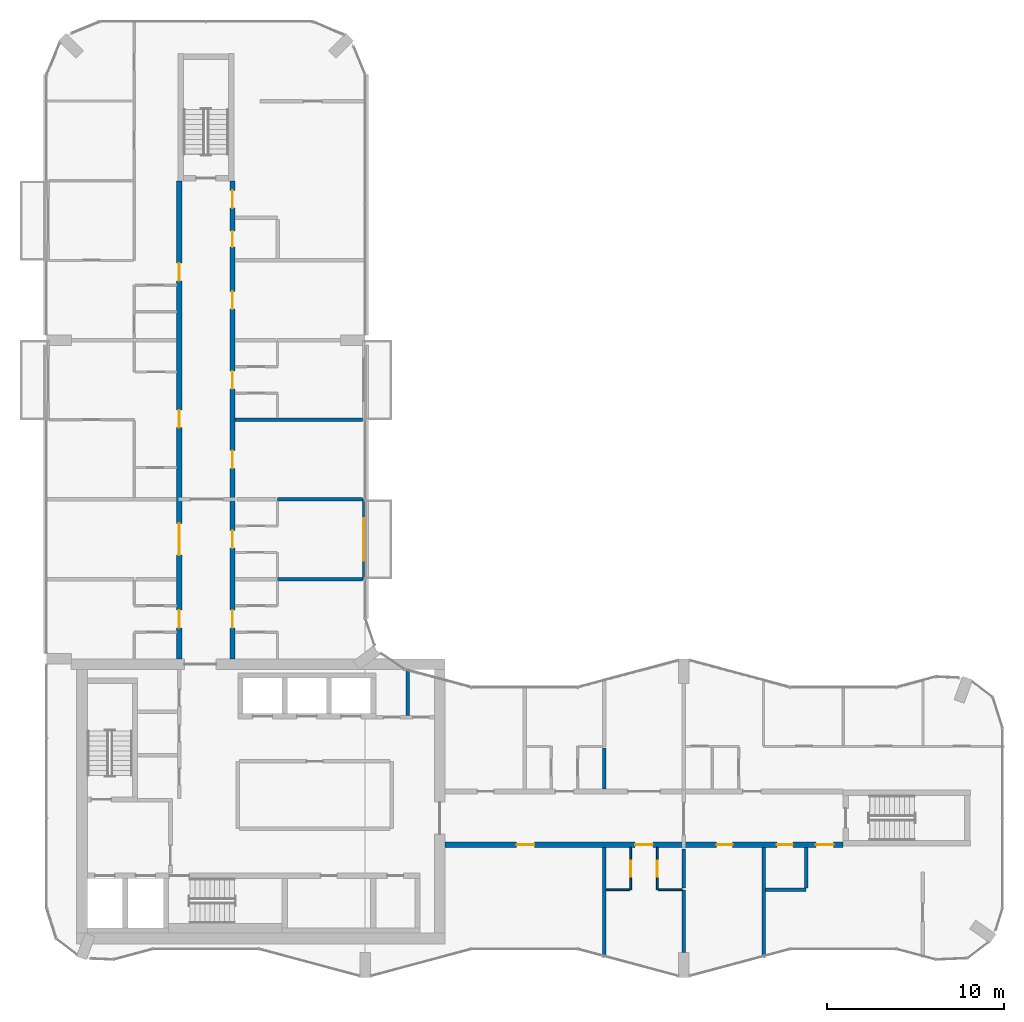
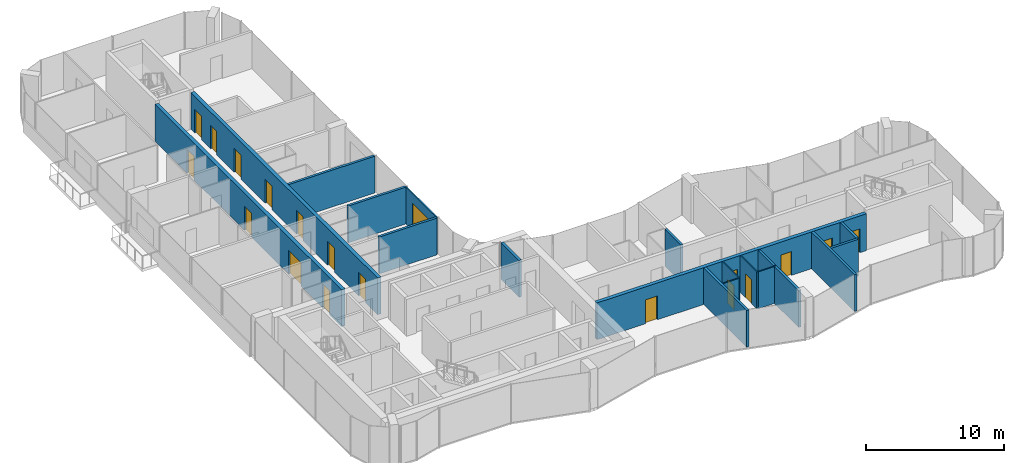
# One storey, part 11 of 15: 19 doors, 19 walls, 19 openings.
"""IFC4 building model written with IfcOpenShell, lengths in metres."""

import ifcopenshell
import ifcopenshell.guid

model = None  # the IFC model being written
_history = None  # IfcOwnerHistory: only IFC2X3 demands one
_inside = {}  # id of a spatial element -> (the spatial element, [elements in it])
_under = {}  # id of a project, library or spatial element -> (it, [spatial elements below it])
_declared = {}  # id of a project -> (the project, [libraries it declares])
_typed = {}  # id of a type object -> (the type object, [elements of that type])
_made_of = {}  # id of a material, layer set ... -> (it, [elements and type objects made of it])


def new_model(schema):
    """Start an empty IFC model of exactly this schema.

    Asked for "IFC4X3", IfcOpenShell would pick the latest addendum, in which some entities
    have other attributes; the version numbers below select the first issue.
    IFC2X3 requires an IfcOwnerHistory on every rooted entity: one is made here for all.
    """
    global model, _history
    if schema == "IFC4X3":
        model = ifcopenshell.file(schema_version=(4, 3, 0, 0))
    else:
        model = ifcopenshell.file(schema=schema)
    _inside.clear()
    _under.clear()
    _declared.clear()
    _typed.clear()
    _made_of.clear()
    _history = None
    if model.schema == "IFC2X3":
        org = make("IfcOrganization", Name="unknown")
        user = make(
            "IfcPersonAndOrganization",
            ThePerson=make("IfcPerson", FamilyName="unknown"),
            TheOrganization=org,
        )
        app = make(
            "IfcApplication",
            ApplicationDeveloper=org,
            Version="unknown",
            ApplicationFullName="unknown",
            ApplicationIdentifier="unknown",
        )
        _history = make(
            "IfcOwnerHistory",
            OwningUser=user,
            OwningApplication=app,
            ChangeAction="ADDED",
            CreationDate=0,
        )
    return model


def make(cls, **values):
    """One entity of the class cls with the attributes given. An attribute that is None is left unset."""
    return model.create_entity(
        cls, **{name: value for name, value in values.items() if value is not None}
    )


def rooted(cls, **values):
    """An entity with a GlobalId (a new one), such as an element, a storey or a relation."""
    return make(cls, GlobalId=ifcopenshell.guid.new(), OwnerHistory=_history, **values)


def si_unit(unit_type, name, prefix=None):
    """IfcSIUnit, for example si_unit("LENGTHUNIT", "METRE", prefix="MILLI")."""
    return make("IfcSIUnit", UnitType=unit_type, Prefix=prefix, Name=name)


def assignment(units):
    """IfcUnitAssignment: the units of a project."""
    return None if units is None else make("IfcUnitAssignment", Units=units)


def point(xyz):
    """IfcCartesianPoint."""
    return None if xyz is None else make("IfcCartesianPoint", Coordinates=xyz)


def direction(xyz):
    """IfcDirection."""
    return None if xyz is None else make("IfcDirection", DirectionRatios=xyz)


def frame(location, z_axis=None, x_axis=None):
    """IfcAxis2Placement3D, a coordinate frame: its origin and axes. An axis left out is left unset."""
    return make(
        "IfcAxis2Placement3D",
        Location=point(location),
        Axis=direction(z_axis),
        RefDirection=direction(x_axis),
    )


def frame_2d(location, x_axis=None):
    """IfcAxis2Placement2D, a coordinate frame in the plane: its origin and x axis."""
    return make(
        "IfcAxis2Placement2D", Location=point(location), RefDirection=direction(x_axis)
    )


def origin():
    """The frame at (0, 0, 0) with its axes left unset."""
    return frame((0.0, 0.0, 0.0))


def place(relative_to, where):
    """IfcLocalPlacement: puts the frame where relative to a parent placement (None: the world)."""
    return make(
        "IfcLocalPlacement", PlacementRelTo=relative_to, RelativePlacement=where
    )


def context(
    kind, dimensions, precision=None, world=None, true_north=None, identifier=None
):
    """IfcGeometricRepresentationContext, for example the 3D "Model" context."""
    return make(
        "IfcGeometricRepresentationContext",
        ContextIdentifier=identifier,
        ContextType=kind,
        CoordinateSpaceDimension=dimensions,
        Precision=precision,
        WorldCoordinateSystem=world,
        TrueNorth=true_north,
    )


def subcontext(parent, identifier, kind, view, scale=None):
    """IfcGeometricRepresentationSubContext, for example "Body" below "Model"."""
    return make(
        "IfcGeometricRepresentationSubContext",
        ContextIdentifier=identifier,
        ContextType=kind,
        ParentContext=parent,
        TargetScale=scale,
        TargetView=view,
    )


def project(units=None, contexts=None):
    """IfcProject with its units and contexts."""
    return rooted(
        "IfcProject",
        Name="project",
        RepresentationContexts=contexts,
        UnitsInContext=assignment(units),
    )


def spatial(cls, under=None, at=None, **own):
    """A site, building, storey or space (cls), placed at a placement, below another one or the project."""
    s = rooted(cls, ObjectPlacement=at, **own)
    if under is not None:
        _under.setdefault(under.id(), (under, []))[1].append(s)
    return s


def profile(cls, at=None, kind="AREA", **sizes):
    """A parametric profile (cls). Its sizes go by their IFC names, for example OverallWidth=200.0."""
    return make(cls, ProfileType=kind, Position=at, **sizes)


def rectangle(**sizes):
    """IfcRectangleProfileDef."""
    return profile("IfcRectangleProfileDef", **sizes)


def extrude(swept, where, along, depth):
    """IfcExtrudedAreaSolid: the profile swept, set in the frame where, extruded along a direction by depth."""
    return make(
        "IfcExtrudedAreaSolid",
        SweptArea=swept,
        Position=where,
        ExtrudedDirection=direction(along),
        Depth=depth,
    )


def shape(context_of_items, identifier, shape_type, items):
    """IfcShapeRepresentation: the items that make up one representation, for example the "Body"."""
    return make(
        "IfcShapeRepresentation",
        ContextOfItems=context_of_items,
        RepresentationIdentifier=identifier,
        RepresentationType=shape_type,
        Items=items,
    )


def material(Name=None, Category=None):
    """IfcMaterial."""
    return make("IfcMaterial", Name=Name, Category=Category)


def layer(
    of_material, thickness, ventilated=None, Name=None, Category=None, Priority=None
):
    """IfcMaterialLayer: one layer of a wall or slab, of a material (None: an air gap)."""
    return make(
        "IfcMaterialLayer",
        Material=of_material,
        LayerThickness=thickness,
        IsVentilated=ventilated,
        Name=Name,
        Category=Category,
        Priority=Priority,
    )


def layer_set(layers, Name=None):
    """IfcMaterialLayerSet."""
    return make("IfcMaterialLayerSet", MaterialLayers=layers, LayerSetName=Name)


def made_of(thing, what):
    """Note that an element or type object is made of a material, layer set ...; save() writes the relation."""
    if what is not None:
        _made_of.setdefault(what.id(), (what, []))[1].append(thing)
    return thing


def type_object(cls, material=None, **own):
    """A type object (cls), such as IfcWallType, which elements share."""
    return made_of(rooted(cls, **own), material)


def element(
    cls,
    number,
    at=None,
    inside=None,
    cuts=None,
    type_object=None,
    material=None,
    context=None,
    identifier="Body",
    shape_type=None,
    held_by="IfcProductDefinitionShape",
    body=None,
    shapes=None,
    **own,
):
    """One element of the class cls, such as IfcWall. Its Tag is "e" and its number.

    at: its placement. inside: the storey or other place that contains it. cuts: it is an
    opening in that element (IfcRelVoidsElement). A single representation is given by context,
    identifier, shape_type and body (its items); several are given by shapes. held_by: the class
    of the entity that holds the representations. save() writes the other relations.
    """
    e = rooted(cls, Tag="e%d" % number, ObjectPlacement=at, **own)
    if body is not None:
        shapes = [shape(context, identifier, shape_type, body)]
    if shapes is not None:
        e.Representation = make(held_by, Representations=shapes)
    if inside is not None:
        _inside.setdefault(inside.id(), (inside, []))[1].append(e)
    if cuts is not None:
        rooted(
            "IfcRelVoidsElement", RelatingBuildingElement=cuts, RelatedOpeningElement=e
        )
    if type_object is not None:
        _typed.setdefault(type_object.id(), (type_object, []))[1].append(e)
    return made_of(e, material)


def fill(opening, filler):
    """IfcRelFillsElement: the door or window that sits in an opening."""
    return rooted(
        "IfcRelFillsElement",
        RelatingOpeningElement=opening,
        RelatedBuildingElement=filler,
    )


def aggregate(whole, parts):
    """IfcRelAggregates: a whole, such as a stair, and the parts it consists of."""
    return rooted("IfcRelAggregates", RelatingObject=whole, RelatedObjects=parts)


def save(model, path):
    """Write the relations noted so far, then the file.

    IfcRelAggregates (storeys below a building ...), IfcRelContainedInSpatialStructure (elements
    in a storey), IfcRelDefinesByType, IfcRelAssociatesMaterial and IfcRelDeclares: one each for
    every whole, place, type object, material and project.
    """
    for whole, parts in _under.values():
        aggregate(whole, parts)
    for where, things in _inside.values():
        rooted(
            "IfcRelContainedInSpatialStructure",
            RelatedElements=things,
            RelatingStructure=where,
        )
    for kind, things in _typed.values():
        rooted("IfcRelDefinesByType", RelatedObjects=things, RelatingType=kind)
    for what, things in _made_of.values():
        rooted("IfcRelAssociatesMaterial", RelatedObjects=things, RelatingMaterial=what)
    for by, libraries in _declared.values():
        rooted("IfcRelDeclares", RelatingContext=by, RelatedDefinitions=libraries)
    model.write(path)


model = new_model("IFC4")

# Units and contexts
model_context = context("Model", 3, precision=1e-05, world=origin(), true_north=direction((0.0, 1.0)))
body_context = subcontext(model_context, "Body", "Model", "MODEL_VIEW")
ifc_project = project(units=[si_unit("LENGTHUNIT", "METRE"), si_unit("AREAUNIT", "SQUARE_METRE"), si_unit("VOLUMEUNIT", "CUBIC_METRE"), si_unit("PLANEANGLEUNIT", "RADIAN"), si_unit("MASSUNIT", "GRAM", prefix="KILO")], contexts=[model_context])

# Site, building, storey
site_placement = place(None, origin())
site = spatial("IfcSite", under=ifc_project, at=site_placement, CompositionType="ELEMENT")
building_placement = place(site_placement, origin())
building = spatial("IfcBuilding", under=site, at=building_placement, Name="Plateau Cross Towers", CompositionType="ELEMENT")
storey_placement = place(building_placement, frame((0.0, 0.0, 170.89990234375)))
storey = spatial("IfcBuildingStorey", under=building, at=storey_placement, Name="L44", CompositionType="ELEMENT", Elevation=170.89990234375)

# Wall, opening, door
ifc_material_1 = material(Name="Aluminium framed glazing", Category="aluminium")
ifc_layer_1 = layer(ifc_material_1, 0.10009765625)
ifc_layer_set_1 = layer_set([ifc_layer_1], Name="Aluminium framed glazing")
wall_type_1 = type_object("IfcWallType", Name="Balcony screen wall 100", PredefinedType="STANDARD", material=ifc_layer_set_1)
wall_1_placement = place(storey_placement, frame((17.89990234375, 27.0, 0.0), z_axis=(0.0, 0.0, 1.0), x_axis=(0.0, -1.0, 0.0)))
wall_1 = element("IfcWall", 1, at=wall_1_placement, inside=storey, type_object=wall_type_1, Name="Balcony screen wall A-BAL-L44-03", PredefinedType="STANDARD", context=body_context, shape_type="SweptSolid", body=[
    extrude(rectangle(XDim=4.5, YDim=0.10009765625, at=frame_2d((2.25, 0.0))), origin(), (0.0, 0.0, 1.0), 3.25),
])
opening_1_placement = place(wall_1_placement, frame((1.050048828125, 0.0, 0.0)))
opening_1 = element("IfcOpeningElement", 2, at=opening_1_placement, cuts=wall_1, Name="Opening D-B24", PredefinedType="OPENING", context=body_context, shape_type="SweptSolid", body=[
    extrude(rectangle(XDim=2.39990234375, YDim=2.39990234375, at=frame_2d((1.199951171875, 1.199951171875))), frame((0.0, 0.06005859375, 0.0), z_axis=(0.0, -1.0, 0.0), x_axis=(1.0, 0.0, 0.0)), (0.0, 0.0, 1.0), 0.1201171875),
])
ifc_material_2 = material(Name="Aluminium frame, double glazing", Category="aluminium")
door_type_1 = type_object("IfcDoorType", Name="Balcony sliding door 2400", OperationType="NOTDEFINED", PredefinedType="DOOR", material=ifc_material_2)
door_1_placement = place(opening_1_placement, origin())
door_1 = element("IfcDoor", 3, at=door_1_placement, inside=storey, type_object=door_type_1, Name="Balcony door A-BAL-L44-03", OperationType="SINGLE_SWING_LEFT", OverallHeight=2.39990234375, OverallWidth=2.39990234375, PredefinedType="DOOR", context=body_context, shape_type="SweptSolid", body=[
    extrude(rectangle(XDim=2.39990234375, YDim=2.39990234375, at=frame_2d((1.199951171875, 1.199951171875))), frame((0.0, 0.02490234375, 0.0), z_axis=(0.0, -1.0, 0.0), x_axis=(1.0, 0.0, 0.0)), (0.0, 0.0, 1.0), 0.050048828125),
])
fill(opening_1, door_1)

# Wall
ifc_material_3 = material(Name="Concrete block, plastered both sides", Category="concrete")
ifc_layer_2 = layer(ifc_material_3, 0.199951171875)
ifc_layer_set_2 = layer_set([ifc_layer_2], Name="Concrete block, plastered both sides")
wall_type_2 = type_object("IfcWallType", Name="Core partition 200", PredefinedType="PARTITIONING", material=ifc_layer_set_2)
wall_2_placement = place(storey_placement, frame((20.39990234375, 14.800048828125, 0.0), z_axis=(0.0, 0.0, 1.0), x_axis=(0.0, 1.0, 0.0)))
element("IfcWall", 4, at=wall_2_placement, inside=storey, type_object=wall_type_2, Name="Core partition", PredefinedType="PARTITIONING", context=body_context, shape_type="SweptSolid", body=[
    extrude(rectangle(XDim=2.599853515625, YDim=0.199951171875, at=frame_2d((1.2998046875, 0.0))), origin(), (0.0, 0.0, 1.0), 3.25),
])

# Wall, openings, doors
ifc_material_4 = material(Name="Concrete C60/75", Category="concrete")
ifc_layer_3 = layer(ifc_material_4, 0.300048828125)
ifc_layer_set_3 = layer_set([ifc_layer_3], Name="Concrete C60/75")
wall_type_3 = type_object("IfcWallType", Name="Corridor wall 300", PredefinedType="SHEAR", material=ifc_layer_set_3)
wall_3_placement = place(storey_placement, frame((22.5, 7.5, 0.0), z_axis=(0.0, 0.0, 1.0), x_axis=(1.0, 0.0, 0.0)))
wall_3 = element("IfcWall", 5, at=wall_3_placement, inside=storey, type_object=wall_type_3, Name="A-cw-S1@L44", PredefinedType="SHEAR", context=body_context, shape_type="SweptSolid", body=[
    extrude(rectangle(XDim=22.5, YDim=0.300048828125, at=frame_2d((11.25, 0.0))), origin(), (0.0, 0.0, 1.0), 3.25),
])
opening_2_placement = place(wall_3_placement, frame((4.050048828125, 0.0, 0.0)))
opening_2 = element("IfcOpeningElement", 6, at=opening_2_placement, cuts=wall_3, Name="Opening 44-01", PredefinedType="OPENING", context=body_context, shape_type="SweptSolid", body=[
    extrude(rectangle(XDim=1.0, YDim=2.10009765625, at=frame_2d((0.5, 1.050048828125))), frame((0.0, 0.159912109375, 0.0), z_axis=(0.0, -1.0, 0.0), x_axis=(1.0, 0.0, 0.0)), (0.0, 0.0, 1.0), 0.320068359375),
])
opening_3_placement = place(wall_3_placement, frame((10.75, 0.0, 0.0)))
opening_3 = element("IfcOpeningElement", 7, at=opening_3_placement, cuts=wall_3, Name="Opening 44-02", PredefinedType="OPENING", context=body_context, shape_type="SweptSolid", body=[
    extrude(rectangle(XDim=1.0, YDim=2.10009765625, at=frame_2d((0.5, 1.050048828125))), frame((0.0, 0.159912109375, 0.0), z_axis=(0.0, -1.0, 0.0), x_axis=(1.0, 0.0, 0.0)), (0.0, 0.0, 1.0), 0.320068359375),
])
opening_4_placement = place(wall_3_placement, frame((15.35009765625, 0.0, 0.0)))
opening_4 = element("IfcOpeningElement", 8, at=opening_4_placement, cuts=wall_3, Name="Opening 44-03", PredefinedType="OPENING", context=body_context, shape_type="SweptSolid", body=[
    extrude(rectangle(XDim=0.89990234375, YDim=2.10009765625, at=frame_2d((0.449951171875, 1.050048828125))), frame((0.0, 0.159912109375, 0.0), z_axis=(0.0, -1.0, 0.0), x_axis=(1.0, 0.0, 0.0)), (0.0, 0.0, 1.0), 0.320068359375),
])
opening_5_placement = place(wall_3_placement, frame((18.75, 0.0, 0.0)))
opening_5 = element("IfcOpeningElement", 9, at=opening_5_placement, cuts=wall_3, Name="Opening 44-04", PredefinedType="OPENING", context=body_context, shape_type="SweptSolid", body=[
    extrude(rectangle(XDim=0.89990234375, YDim=2.10009765625, at=frame_2d((0.449951171875, 1.050048828125))), frame((0.0, 0.159912109375, 0.0), z_axis=(0.0, -1.0, 0.0), x_axis=(1.0, 0.0, 0.0)), (0.0, 0.0, 1.0), 0.320068359375),
])
opening_6_placement = place(wall_3_placement, frame((20.949951171875, 0.0, 0.0)))
opening_6 = element("IfcOpeningElement", 10, at=opening_6_placement, cuts=wall_3, Name="Opening 44-05", PredefinedType="OPENING", context=body_context, shape_type="SweptSolid", body=[
    extrude(rectangle(XDim=1.0, YDim=2.10009765625, at=frame_2d((0.5, 1.050048828125))), frame((0.0, 0.159912109375, 0.0), z_axis=(0.0, -1.0, 0.0), x_axis=(1.0, 0.0, 0.0)), (0.0, 0.0, 1.0), 0.320068359375),
])
ifc_material_5 = material(Name="Timber, fire-resisting leaf", Category="wood")
door_type_2 = type_object("IfcDoorType", Name="Flat entrance door 1000", OperationType="NOTDEFINED", PredefinedType="DOOR", material=ifc_material_5)
door_2_placement = place(opening_2_placement, origin())
door_2 = element("IfcDoor", 11, at=door_2_placement, inside=storey, type_object=door_type_2, Name="Door 44-01", OperationType="SINGLE_SWING_LEFT", OverallHeight=2.10009765625, OverallWidth=1.0, PredefinedType="DOOR", context=body_context, shape_type="SweptSolid", body=[
    extrude(rectangle(XDim=1.0, YDim=2.10009765625, at=frame_2d((0.5, 1.050048828125))), frame((0.0, 0.02490234375, 0.0), z_axis=(0.0, -1.0, 0.0), x_axis=(1.0, 0.0, 0.0)), (0.0, 0.0, 1.0), 0.050048828125),
])
fill(opening_2, door_2)
door_3_placement = place(opening_3_placement, origin())
door_3 = element("IfcDoor", 12, at=door_3_placement, inside=storey, type_object=door_type_2, Name="Door 44-02", OperationType="SINGLE_SWING_LEFT", OverallHeight=2.10009765625, OverallWidth=1.0, PredefinedType="DOOR", context=body_context, shape_type="SweptSolid", body=[
    extrude(rectangle(XDim=1.0, YDim=2.10009765625, at=frame_2d((0.5, 1.050048828125))), frame((0.0, 0.02490234375, 0.0), z_axis=(0.0, -1.0, 0.0), x_axis=(1.0, 0.0, 0.0)), (0.0, 0.0, 1.0), 0.050048828125),
])
fill(opening_3, door_3)
door_4_placement = place(opening_6_placement, origin())
door_4 = element("IfcDoor", 13, at=door_4_placement, inside=storey, type_object=door_type_2, Name="Door 44-05", OperationType="SINGLE_SWING_RIGHT", OverallHeight=2.10009765625, OverallWidth=1.0, PredefinedType="DOOR", context=body_context, shape_type="SweptSolid", body=[
    extrude(rectangle(XDim=1.0, YDim=2.10009765625, at=frame_2d((0.5, 1.050048828125))), frame((0.0, 0.02490234375, 0.0), z_axis=(0.0, -1.0, 0.0), x_axis=(1.0, 0.0, 0.0)), (0.0, 0.0, 1.0), 0.050048828125),
])
fill(opening_6, door_4)
door_type_3 = type_object("IfcDoorType", Name="Flat floor service door 900", OperationType="NOTDEFINED", PredefinedType="DOOR", material=ifc_material_5)
door_5_placement = place(opening_4_placement, origin())
door_5 = element("IfcDoor", 14, at=door_5_placement, inside=storey, type_object=door_type_3, Name="Door 44-03", OperationType="SINGLE_SWING_RIGHT", OverallHeight=2.10009765625, OverallWidth=0.89990234375, PredefinedType="DOOR", context=body_context, shape_type="SweptSolid", body=[
    extrude(rectangle(XDim=0.89990234375, YDim=2.10009765625, at=frame_2d((0.449951171875, 1.050048828125))), frame((0.0, 0.02490234375, 0.0), z_axis=(0.0, -1.0, 0.0), x_axis=(1.0, 0.0, 0.0)), (0.0, 0.0, 1.0), 0.050048828125),
])
fill(opening_4, door_5)
door_6_placement = place(opening_5_placement, origin())
door_6 = element("IfcDoor", 15, at=door_6_placement, inside=storey, type_object=door_type_3, Name="Door 44-04", OperationType="SINGLE_SWING_RIGHT", OverallHeight=2.10009765625, OverallWidth=0.89990234375, PredefinedType="DOOR", context=body_context, shape_type="SweptSolid", body=[
    extrude(rectangle(XDim=0.89990234375, YDim=2.10009765625, at=frame_2d((0.449951171875, 1.050048828125))), frame((0.0, 0.02490234375, 0.0), z_axis=(0.0, -1.0, 0.0), x_axis=(1.0, 0.0, 0.0)), (0.0, 0.0, 1.0), 0.050048828125),
])
fill(opening_5, door_6)

wall_4_placement = place(storey_placement, frame((7.5, 18.0, 0.0), z_axis=(0.0, 0.0, 1.0), x_axis=(0.0, 1.0, 0.0)))
wall_4 = element("IfcWall", 16, at=wall_4_placement, inside=storey, type_object=wall_type_3, Name="A-cw-W1@L44", PredefinedType="SHEAR", context=body_context, shape_type="SweptSolid", body=[
    extrude(rectangle(XDim=27.0, YDim=0.300048828125, at=frame_2d((13.5, 0.0))), origin(), (0.0, 0.0, 1.0), 3.25),
])
opening_7_placement = place(wall_4_placement, frame((1.75, 0.0, 0.0)))
opening_7 = element("IfcOpeningElement", 17, at=opening_7_placement, cuts=wall_4, Name="Opening 44-10", PredefinedType="OPENING", context=body_context, shape_type="SweptSolid", body=[
    extrude(rectangle(XDim=1.0, YDim=2.10009765625, at=frame_2d((0.5, 1.050048828125))), frame((0.0, 0.159912109375, 0.0), z_axis=(0.0, -1.0, 0.0), x_axis=(1.0, 0.0, 0.0)), (0.0, 0.0, 1.0), 0.320068359375),
])
opening_8_placement = place(wall_4_placement, frame((5.85009765625, 0.0, 0.0)))
opening_8 = element("IfcOpeningElement", 18, at=opening_8_placement, cuts=wall_4, Name="Opening 44-11", PredefinedType="OPENING", context=body_context, shape_type="SweptSolid", body=[
    extrude(rectangle(XDim=1.800048828125, YDim=2.10009765625, at=frame_2d((0.89990234375, 1.050048828125))), frame((0.0, 0.159912109375, 0.0), z_axis=(0.0, -1.0, 0.0), x_axis=(1.0, 0.0, 0.0)), (0.0, 0.0, 1.0), 0.320068359375),
])
opening_9_placement = place(wall_4_placement, frame((13.050048828125, 0.0, 0.0)))
opening_9 = element("IfcOpeningElement", 19, at=opening_9_placement, cuts=wall_4, Name="Opening 44-12", PredefinedType="OPENING", context=body_context, shape_type="SweptSolid", body=[
    extrude(rectangle(XDim=1.0, YDim=2.10009765625, at=frame_2d((0.5, 1.050048828125))), frame((0.0, 0.159912109375, 0.0), z_axis=(0.0, -1.0, 0.0), x_axis=(1.0, 0.0, 0.0)), (0.0, 0.0, 1.0), 0.320068359375),
])
opening_10_placement = place(wall_4_placement, frame((21.35009765625, 0.0, 0.0)))
opening_10 = element("IfcOpeningElement", 20, at=opening_10_placement, cuts=wall_4, Name="Opening 44-13", PredefinedType="OPENING", context=body_context, shape_type="SweptSolid", body=[
    extrude(rectangle(XDim=1.0, YDim=2.10009765625, at=frame_2d((0.5, 1.050048828125))), frame((0.0, 0.159912109375, 0.0), z_axis=(0.0, -1.0, 0.0), x_axis=(1.0, 0.0, 0.0)), (0.0, 0.0, 1.0), 0.320068359375),
])
door_7_placement = place(opening_7_placement, origin())
door_7 = element("IfcDoor", 21, at=door_7_placement, inside=storey, type_object=door_type_2, Name="Door 44-10", OperationType="SINGLE_SWING_LEFT", OverallHeight=2.10009765625, OverallWidth=1.0, PredefinedType="DOOR", context=body_context, shape_type="SweptSolid", body=[
    extrude(rectangle(XDim=1.0, YDim=2.10009765625, at=frame_2d((0.5, 1.050048828125))), frame((0.0, 0.02490234375, 0.0), z_axis=(0.0, -1.0, 0.0), x_axis=(1.0, 0.0, 0.0)), (0.0, 0.0, 1.0), 0.050048828125),
])
fill(opening_7, door_7)
door_8_placement = place(opening_9_placement, origin())
door_8 = element("IfcDoor", 22, at=door_8_placement, inside=storey, type_object=door_type_2, Name="Door 44-12", OperationType="SINGLE_SWING_RIGHT", OverallHeight=2.10009765625, OverallWidth=1.0, PredefinedType="DOOR", context=body_context, shape_type="SweptSolid", body=[
    extrude(rectangle(XDim=1.0, YDim=2.10009765625, at=frame_2d((0.5, 1.050048828125))), frame((0.0, 0.02490234375, 0.0), z_axis=(0.0, -1.0, 0.0), x_axis=(1.0, 0.0, 0.0)), (0.0, 0.0, 1.0), 0.050048828125),
])
fill(opening_9, door_8)
door_9_placement = place(opening_10_placement, origin())
door_9 = element("IfcDoor", 23, at=door_9_placement, inside=storey, type_object=door_type_2, Name="Door 44-13", OperationType="SINGLE_SWING_RIGHT", OverallHeight=2.10009765625, OverallWidth=1.0, PredefinedType="DOOR", context=body_context, shape_type="SweptSolid", body=[
    extrude(rectangle(XDim=1.0, YDim=2.10009765625, at=frame_2d((0.5, 1.050048828125))), frame((0.0, 0.02490234375, 0.0), z_axis=(0.0, -1.0, 0.0), x_axis=(1.0, 0.0, 0.0)), (0.0, 0.0, 1.0), 0.050048828125),
])
fill(opening_10, door_9)
ifc_material_6 = material(Name="Timber, fire-resisting leaves", Category="wood")
door_type_4 = type_object("IfcDoorType", Name="Flat floor fire door pair 1800", OperationType="NOTDEFINED", PredefinedType="DOOR", material=ifc_material_6)
door_10_placement = place(opening_8_placement, origin())
door_10 = element("IfcDoor", 24, at=door_10_placement, inside=storey, type_object=door_type_4, Name="Door 44-11", OperationType="SINGLE_SWING_LEFT", OverallHeight=2.10009765625, OverallWidth=1.800048828125, PredefinedType="DOOR", context=body_context, shape_type="SweptSolid", body=[
    extrude(rectangle(XDim=1.800048828125, YDim=2.10009765625, at=frame_2d((0.89990234375, 1.050048828125))), frame((0.0, 0.02490234375, 0.0), z_axis=(0.0, -1.0, 0.0), x_axis=(1.0, 0.0, 0.0)), (0.0, 0.0, 1.0), 0.050048828125),
])
fill(opening_8, door_10)

wall_5_placement = place(storey_placement, frame((10.5, 18.0, 0.0), z_axis=(0.0, 0.0, 1.0), x_axis=(0.0, 1.0, 0.0)))
wall_5 = element("IfcWall", 25, at=wall_5_placement, inside=storey, type_object=wall_type_3, Name="A-cw-W2@L44", PredefinedType="SHEAR", context=body_context, shape_type="SweptSolid", body=[
    extrude(rectangle(XDim=27.0, YDim=0.300048828125, at=frame_2d((13.5, 0.0))), origin(), (0.0, 0.0, 1.0), 3.25),
])
opening_11_placement = place(wall_5_placement, frame((1.75, 0.0, 0.0)))
opening_11 = element("IfcOpeningElement", 26, at=opening_11_placement, cuts=wall_5, Name="Opening 44-14", PredefinedType="OPENING", context=body_context, shape_type="SweptSolid", body=[
    extrude(rectangle(XDim=1.0, YDim=2.10009765625, at=frame_2d((0.5, 1.050048828125))), frame((0.0, 0.159912109375, 0.0), z_axis=(0.0, -1.0, 0.0), x_axis=(1.0, 0.0, 0.0)), (0.0, 0.0, 1.0), 0.320068359375),
])
opening_12_placement = place(wall_5_placement, frame((6.25, 0.0, 0.0)))
opening_12 = element("IfcOpeningElement", 27, at=opening_12_placement, cuts=wall_5, Name="Opening 44-15", PredefinedType="OPENING", context=body_context, shape_type="SweptSolid", body=[
    extrude(rectangle(XDim=1.0, YDim=2.10009765625, at=frame_2d((0.5, 1.050048828125))), frame((0.0, 0.159912109375, 0.0), z_axis=(0.0, -1.0, 0.0), x_axis=(1.0, 0.0, 0.0)), (0.0, 0.0, 1.0), 0.320068359375),
])
opening_13_placement = place(wall_5_placement, frame((10.75, 0.0, 0.0)))
opening_13 = element("IfcOpeningElement", 28, at=opening_13_placement, cuts=wall_5, Name="Opening 44-16", PredefinedType="OPENING", context=body_context, shape_type="SweptSolid", body=[
    extrude(rectangle(XDim=1.0, YDim=2.10009765625, at=frame_2d((0.5, 1.050048828125))), frame((0.0, 0.159912109375, 0.0), z_axis=(0.0, -1.0, 0.0), x_axis=(1.0, 0.0, 0.0)), (0.0, 0.0, 1.0), 0.320068359375),
])
opening_14_placement = place(wall_5_placement, frame((15.25, 0.0, 0.0)))
opening_14 = element("IfcOpeningElement", 29, at=opening_14_placement, cuts=wall_5, Name="Opening 44-17", PredefinedType="OPENING", context=body_context, shape_type="SweptSolid", body=[
    extrude(rectangle(XDim=1.0, YDim=2.10009765625, at=frame_2d((0.5, 1.050048828125))), frame((0.0, 0.159912109375, 0.0), z_axis=(0.0, -1.0, 0.0), x_axis=(1.0, 0.0, 0.0)), (0.0, 0.0, 1.0), 0.320068359375),
])
opening_15_placement = place(wall_5_placement, frame((19.75, 0.0, 0.0)))
opening_15 = element("IfcOpeningElement", 30, at=opening_15_placement, cuts=wall_5, Name="Opening 44-18", PredefinedType="OPENING", context=body_context, shape_type="SweptSolid", body=[
    extrude(rectangle(XDim=1.0, YDim=2.10009765625, at=frame_2d((0.5, 1.050048828125))), frame((0.0, 0.159912109375, 0.0), z_axis=(0.0, -1.0, 0.0), x_axis=(1.0, 0.0, 0.0)), (0.0, 0.0, 1.0), 0.320068359375),
])
opening_16_placement = place(wall_5_placement, frame((23.25, 0.0, 0.0)))
opening_16 = element("IfcOpeningElement", 31, at=opening_16_placement, cuts=wall_5, Name="Opening 44-19", PredefinedType="OPENING", context=body_context, shape_type="SweptSolid", body=[
    extrude(rectangle(XDim=0.89990234375, YDim=2.10009765625, at=frame_2d((0.449951171875, 1.050048828125))), frame((0.0, 0.159912109375, 0.0), z_axis=(0.0, -1.0, 0.0), x_axis=(1.0, 0.0, 0.0)), (0.0, 0.0, 1.0), 0.320068359375),
])
opening_17_placement = place(wall_5_placement, frame((25.449951171875, 0.0, 0.0)))
opening_17 = element("IfcOpeningElement", 32, at=opening_17_placement, cuts=wall_5, Name="Opening 44-20", PredefinedType="OPENING", context=body_context, shape_type="SweptSolid", body=[
    extrude(rectangle(XDim=1.0, YDim=2.10009765625, at=frame_2d((0.5, 1.050048828125))), frame((0.0, 0.159912109375, 0.0), z_axis=(0.0, -1.0, 0.0), x_axis=(1.0, 0.0, 0.0)), (0.0, 0.0, 1.0), 0.320068359375),
])
door_11_placement = place(opening_11_placement, origin())
door_11 = element("IfcDoor", 33, at=door_11_placement, inside=storey, type_object=door_type_2, Name="Door 44-14", OperationType="SINGLE_SWING_LEFT", OverallHeight=2.10009765625, OverallWidth=1.0, PredefinedType="DOOR", context=body_context, shape_type="SweptSolid", body=[
    extrude(rectangle(XDim=1.0, YDim=2.10009765625, at=frame_2d((0.5, 1.050048828125))), frame((0.0, 0.02490234375, 0.0), z_axis=(0.0, -1.0, 0.0), x_axis=(1.0, 0.0, 0.0)), (0.0, 0.0, 1.0), 0.050048828125),
])
fill(opening_11, door_11)
door_12_placement = place(opening_12_placement, origin())
door_12 = element("IfcDoor", 34, at=door_12_placement, inside=storey, type_object=door_type_2, Name="Door 44-15", OperationType="SINGLE_SWING_LEFT", OverallHeight=2.10009765625, OverallWidth=1.0, PredefinedType="DOOR", context=body_context, shape_type="SweptSolid", body=[
    extrude(rectangle(XDim=1.0, YDim=2.10009765625, at=frame_2d((0.5, 1.050048828125))), frame((0.0, 0.02490234375, 0.0), z_axis=(0.0, -1.0, 0.0), x_axis=(1.0, 0.0, 0.0)), (0.0, 0.0, 1.0), 0.050048828125),
])
fill(opening_12, door_12)
door_13_placement = place(opening_13_placement, origin())
door_13 = element("IfcDoor", 35, at=door_13_placement, inside=storey, type_object=door_type_2, Name="Door 44-16", OperationType="SINGLE_SWING_LEFT", OverallHeight=2.10009765625, OverallWidth=1.0, PredefinedType="DOOR", context=body_context, shape_type="SweptSolid", body=[
    extrude(rectangle(XDim=1.0, YDim=2.10009765625, at=frame_2d((0.5, 1.050048828125))), frame((0.0, 0.02490234375, 0.0), z_axis=(0.0, -1.0, 0.0), x_axis=(1.0, 0.0, 0.0)), (0.0, 0.0, 1.0), 0.050048828125),
])
fill(opening_13, door_13)
door_14_placement = place(opening_14_placement, origin())
door_14 = element("IfcDoor", 36, at=door_14_placement, inside=storey, type_object=door_type_2, Name="Door 44-17", OperationType="SINGLE_SWING_RIGHT", OverallHeight=2.10009765625, OverallWidth=1.0, PredefinedType="DOOR", context=body_context, shape_type="SweptSolid", body=[
    extrude(rectangle(XDim=1.0, YDim=2.10009765625, at=frame_2d((0.5, 1.050048828125))), frame((0.0, 0.02490234375, 0.0), z_axis=(0.0, -1.0, 0.0), x_axis=(1.0, 0.0, 0.0)), (0.0, 0.0, 1.0), 0.050048828125),
])
fill(opening_14, door_14)
door_15_placement = place(opening_15_placement, origin())
door_15 = element("IfcDoor", 37, at=door_15_placement, inside=storey, type_object=door_type_2, Name="Door 44-18", OperationType="SINGLE_SWING_RIGHT", OverallHeight=2.10009765625, OverallWidth=1.0, PredefinedType="DOOR", context=body_context, shape_type="SweptSolid", body=[
    extrude(rectangle(XDim=1.0, YDim=2.10009765625, at=frame_2d((0.5, 1.050048828125))), frame((0.0, 0.02490234375, 0.0), z_axis=(0.0, -1.0, 0.0), x_axis=(1.0, 0.0, 0.0)), (0.0, 0.0, 1.0), 0.050048828125),
])
fill(opening_15, door_15)
door_16_placement = place(opening_17_placement, origin())
door_16 = element("IfcDoor", 38, at=door_16_placement, inside=storey, type_object=door_type_2, Name="Door 44-20", OperationType="SINGLE_SWING_RIGHT", OverallHeight=2.10009765625, OverallWidth=1.0, PredefinedType="DOOR", context=body_context, shape_type="SweptSolid", body=[
    extrude(rectangle(XDim=1.0, YDim=2.10009765625, at=frame_2d((0.5, 1.050048828125))), frame((0.0, 0.02490234375, 0.0), z_axis=(0.0, -1.0, 0.0), x_axis=(1.0, 0.0, 0.0)), (0.0, 0.0, 1.0), 0.050048828125),
])
fill(opening_17, door_16)
door_17_placement = place(opening_16_placement, origin())
door_17 = element("IfcDoor", 39, at=door_17_placement, inside=storey, type_object=door_type_3, Name="Door 44-19", OperationType="SINGLE_SWING_RIGHT", OverallHeight=2.10009765625, OverallWidth=0.89990234375, PredefinedType="DOOR", context=body_context, shape_type="SweptSolid", body=[
    extrude(rectangle(XDim=0.89990234375, YDim=2.10009765625, at=frame_2d((0.449951171875, 1.050048828125))), frame((0.0, 0.02490234375, 0.0), z_axis=(0.0, -1.0, 0.0), x_axis=(1.0, 0.0, 0.0)), (0.0, 0.0, 1.0), 0.050048828125),
])
fill(opening_16, door_17)

# Walls
ifc_material_7 = material(Name="Gypsum board on steel studs", Category="steel")
ifc_layer_4 = layer(ifc_material_7, 0.10009765625)
ifc_layer_set_4 = layer_set([ifc_layer_4], Name="Gypsum board on steel studs")
wall_type_4 = type_object("IfcWallType", Name="Flat partition 100", PredefinedType="PARTITIONING", material=ifc_layer_set_4)
for number, where, z_axis, x_axis, name in (
    (40, (31.60009765625, 4.949951171875, 0.0), (0.0, 0.0, 1.0), (1.0, 0.0, 0.0), "Partition wall"),
    (41, (34.550048828125, 4.949951171875, 0.0), (0.0, 0.0, 1.0), (1.0, 0.0, 0.0), "Partition wall"),
):
    element("IfcWall", number, at=place(storey_placement, frame(where, z_axis=z_axis, x_axis=x_axis)), inside=storey, type_object=wall_type_4, Name=name, PredefinedType="PARTITIONING", context=body_context, shape_type="SweptSolid", body=[
        extrude(rectangle(XDim=1.349853515625, YDim=0.10009765625, at=frame_2d((0.6748046875, 0.0))), origin(), (0.0, 0.0, 1.0), 3.25),
    ])

# Wall, opening, door
wall_6_placement = place(storey_placement, frame((33.0, 4.949951171875, 0.0), z_axis=(0.0, 0.0, 1.0), x_axis=(0.0, 1.0, 0.0)))
wall_6 = element("IfcWall", 42, at=wall_6_placement, inside=storey, type_object=wall_type_4, Name="Partition wall", PredefinedType="PARTITIONING", context=body_context, shape_type="SweptSolid", body=[
    extrude(rectangle(XDim=2.400146484375, YDim=0.10009765625, at=frame_2d((1.2001953125, 0.0))), origin(), (0.0, 0.0, 1.0), 3.25),
])
opening_18_placement = place(wall_6_placement, frame((0.75, 0.0, 0.0)))
opening_18 = element("IfcOpeningElement", 43, at=opening_18_placement, cuts=wall_6, Name="Opening 44-25", PredefinedType="OPENING", context=body_context, shape_type="SweptSolid", body=[
    extrude(rectangle(XDim=0.89990234375, YDim=2.10009765625, at=frame_2d((0.449951171875, 1.050048828125))), frame((0.0, 0.06005859375, 0.0), z_axis=(0.0, -1.0, 0.0), x_axis=(1.0, 0.0, 0.0)), (0.0, 0.0, 1.0), 0.1201171875),
])
ifc_material_8 = material(Name="Timber leaf", Category="wood")
door_type_5 = type_object("IfcDoorType", Name="Flat room door 900", OperationType="NOTDEFINED", PredefinedType="DOOR", material=ifc_material_8)
door_18_placement = place(opening_18_placement, origin())
door_18 = element("IfcDoor", 44, at=door_18_placement, inside=storey, type_object=door_type_5, Name="Door 44-25", OperationType="SINGLE_SWING_RIGHT", OverallHeight=2.10009765625, OverallWidth=0.89990234375, PredefinedType="DOOR", context=body_context, shape_type="SweptSolid", body=[
    extrude(rectangle(XDim=0.89990234375, YDim=2.10009765625, at=frame_2d((0.449951171875, 1.050048828125))), frame((0.0, 0.02490234375, 0.0), z_axis=(0.0, -1.0, 0.0), x_axis=(1.0, 0.0, 0.0)), (0.0, 0.0, 1.0), 0.050048828125),
])
fill(opening_18, door_18)

wall_7_placement = place(storey_placement, frame((34.5, 7.35009765625, 0.0), z_axis=(0.0, 0.0, 1.0), x_axis=(0.0, -1.0, 0.0)))
wall_7 = element("IfcWall", 45, at=wall_7_placement, inside=storey, type_object=wall_type_4, Name="Partition wall", PredefinedType="PARTITIONING", context=body_context, shape_type="SweptSolid", body=[
    extrude(rectangle(XDim=2.400146484375, YDim=0.10009765625, at=frame_2d((1.2001953125, 0.0))), origin(), (0.0, 0.0, 1.0), 3.25),
])
opening_19_placement = place(wall_7_placement, frame((0.75, 0.0, 0.0)))
opening_19 = element("IfcOpeningElement", 46, at=opening_19_placement, cuts=wall_7, Name="Opening 44-26", PredefinedType="OPENING", context=body_context, shape_type="SweptSolid", body=[
    extrude(rectangle(XDim=0.89990234375, YDim=2.10009765625, at=frame_2d((0.449951171875, 1.050048828125))), frame((0.0, 0.06005859375, 0.0), z_axis=(0.0, -1.0, 0.0), x_axis=(1.0, 0.0, 0.0)), (0.0, 0.0, 1.0), 0.1201171875),
])
door_19_placement = place(opening_19_placement, origin())
door_19 = element("IfcDoor", 47, at=door_19_placement, inside=storey, type_object=door_type_5, Name="Door 44-26", OperationType="SINGLE_SWING_RIGHT", OverallHeight=2.10009765625, OverallWidth=0.89990234375, PredefinedType="DOOR", context=body_context, shape_type="SweptSolid", body=[
    extrude(rectangle(XDim=0.89990234375, YDim=2.10009765625, at=frame_2d((0.449951171875, 1.050048828125))), frame((0.0, 0.02490234375, 0.0), z_axis=(0.0, -1.0, 0.0), x_axis=(1.0, 0.0, 0.0)), (0.0, 0.0, 1.0), 0.050048828125),
])
fill(opening_19, door_19)

# Walls
ifc_material_9 = material(Name="Gypsum board on steel studs, two layers each side", Category="steel")
ifc_layer_5 = layer(ifc_material_9, 0.199951171875)
ifc_layer_set_5 = layer_set([ifc_layer_5], Name="Gypsum board on steel studs, two layers each side")
wall_type_5 = type_object("IfcWallType", Name="Flat party wall 200", PredefinedType="PARTITIONING", material=ifc_layer_set_5)
wall_8_placement = place(storey_placement, frame((40.60009765625, 4.949951171875, 0.0), z_axis=(0.0, 0.0, 1.0), x_axis=(1.0, 0.0, 0.0)))
element("IfcWall", 48, at=wall_8_placement, inside=storey, type_object=wall_type_5, Name="Party wall", PredefinedType="PARTITIONING", context=body_context, shape_type="SweptSolid", body=[
    extrude(rectangle(XDim=2.2998046875, YDim=0.199951171875, at=frame_2d((1.14990234375, 0.0))), origin(), (0.0, 0.0, 1.0), 3.25),
])
for number, where, z_axis, x_axis, name in (
    (49, (13.050048828125, 22.5, 0.0), (0.0, 0.0, 1.0), (1.0, 0.0, 0.0), "Party wall"),
    (50, (13.050048828125, 27.0, 0.0), (0.0, 0.0, 1.0), (1.0, 0.0, 0.0), "Party wall"),
):
    element("IfcWall", number, at=place(storey_placement, frame(where, z_axis=z_axis, x_axis=x_axis)), inside=storey, type_object=wall_type_5, Name=name, PredefinedType="PARTITIONING", context=body_context, shape_type="SweptSolid", body=[
        extrude(rectangle(XDim=4.800048828125, YDim=0.199951171875, at=frame_2d((2.39990234375, 0.0))), origin(), (0.0, 0.0, 1.0), 3.25),
    ])
wall_9_placement = place(storey_placement, frame((17.85009765625, 31.5, 0.0), z_axis=(0.0, 0.0, 1.0), x_axis=(-1.0, 0.0, 0.0)))
element("IfcWall", 51, at=wall_9_placement, inside=storey, type_object=wall_type_5, Name="Party wall", PredefinedType="PARTITIONING", context=body_context, shape_type="SweptSolid", body=[
    extrude(rectangle(XDim=7.2001953125, YDim=0.199951171875, at=frame_2d((3.60009765625, 0.0))), origin(), (0.0, 0.0, 1.0), 3.25),
])
wall_10_placement = place(storey_placement, frame((31.5, 1.122314453125, 0.0), z_axis=(0.0, 0.0, 1.0), x_axis=(0.0, 1.0, 0.0)))
element("IfcWall", 52, at=wall_10_placement, inside=storey, type_object=wall_type_5, Name="Party wall", PredefinedType="PARTITIONING", context=body_context, shape_type="SweptSolid", body=[
    extrude(rectangle(XDim=6.227783203125, YDim=0.199951171875, at=frame_2d((3.11376953125, 0.0))), origin(), (0.0, 0.0, 1.0), 3.25),
])
wall_11_placement = place(storey_placement, frame((31.5, 10.64990234375, 0.0), z_axis=(0.0, 0.0, 1.0), x_axis=(0.0, 1.0, 0.0)))
element("IfcWall", 53, at=wall_11_placement, inside=storey, type_object=wall_type_5, Name="Party wall", PredefinedType="PARTITIONING", context=body_context, shape_type="SweptSolid", body=[
    extrude(rectangle(XDim=2.300048828125, YDim=0.199951171875, at=frame_2d((1.14990234375, 0.0))), origin(), (0.0, 0.0, 1.0), 3.25),
])
wall_12_placement = place(storey_placement, frame((36.0, 4.949951171875, 0.0), z_axis=(0.0, 0.0, 1.0), x_axis=(0.0, -1.0, 0.0)))
element("IfcWall", 54, at=wall_12_placement, inside=storey, type_object=wall_type_5, Name="Party wall", PredefinedType="PARTITIONING", context=body_context, shape_type="SweptSolid", body=[
    extrude(rectangle(XDim=3.550048828125, YDim=0.199951171875, at=frame_2d((1.77490234375, 0.0))), origin(), (0.0, 0.0, 1.0), 3.25),
])
wall_13_placement = place(storey_placement, frame((36.0, 5.050048828125, 0.0), z_axis=(0.0, 0.0, 1.0), x_axis=(0.0, 1.0, 0.0)))
element("IfcWall", 55, at=wall_13_placement, inside=storey, type_object=wall_type_5, Name="Party wall", PredefinedType="PARTITIONING", context=body_context, shape_type="SweptSolid", body=[
    extrude(rectangle(XDim=2.199951171875, YDim=0.199951171875, at=frame_2d((1.10009765625, 0.0))), origin(), (0.0, 0.0, 1.0), 3.25),
])
wall_14_placement = place(storey_placement, frame((40.5, 1.122314453125, 0.0), z_axis=(0.0, 0.0, 1.0), x_axis=(0.0, 1.0, 0.0)))
element("IfcWall", 56, at=wall_14_placement, inside=storey, type_object=wall_type_5, Name="Party wall", PredefinedType="PARTITIONING", context=body_context, shape_type="SweptSolid", body=[
    extrude(rectangle(XDim=6.227783203125, YDim=0.199951171875, at=frame_2d((3.11376953125, 0.0))), origin(), (0.0, 0.0, 1.0), 3.25),
])
wall_15_placement = place(storey_placement, frame((42.89990234375, 5.050048828125, 0.0), z_axis=(0.0, 0.0, 1.0), x_axis=(0.0, 1.0, 0.0)))
element("IfcWall", 57, at=wall_15_placement, inside=storey, type_object=wall_type_5, Name="Party wall", PredefinedType="PARTITIONING", context=body_context, shape_type="SweptSolid", body=[
    extrude(rectangle(XDim=2.300048828125, YDim=0.199951171875, at=frame_2d((1.14990234375, 0.0))), origin(), (0.0, 0.0, 1.0), 3.25),
])

save(model, "model.ifc")
